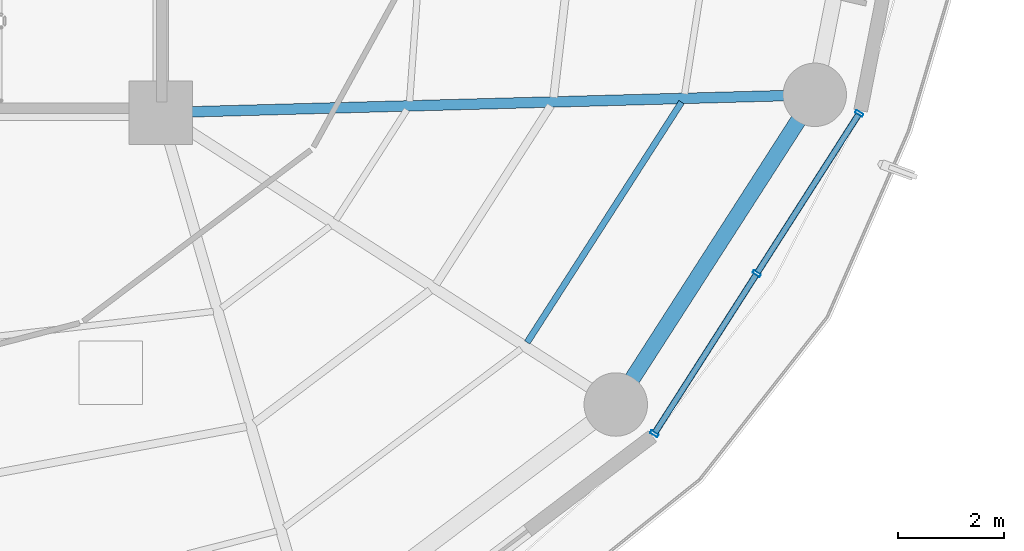
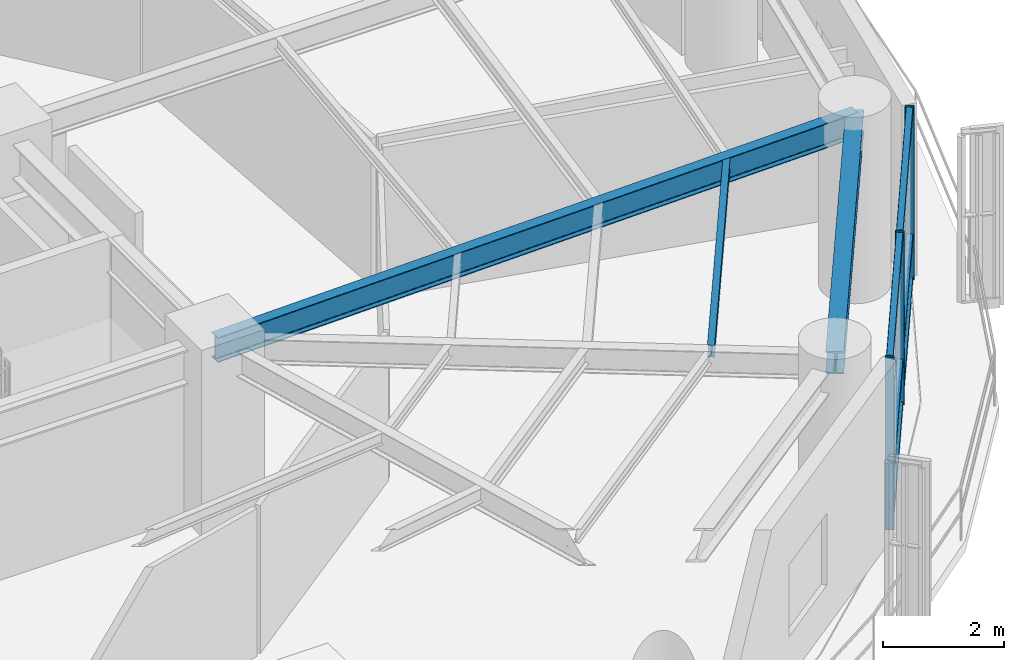
# One storey, part 11 of 27: 9 members, 3 beams, 1 element without a shape of its own.
"""IFC4 building model written with IfcOpenShell, lengths in metres."""

from ifc_helpers import new_model, si_unit, direction, frame, origin, origin_2d, place, context, subcontext, project, spatial, hollow_rectangle, i_section, extrude, material, layer, layer_set, material_profile, profile_set, type_object, element, aggregate, save


model = new_model("IFC4")

# Units and contexts
model_context = context("Model", 3, precision=1e-05, world=origin(), true_north=direction((0.0, 1.0)))
body_context = subcontext(model_context, "Body", "Model", "MODEL_VIEW")
ifc_project = project(units=[si_unit("LENGTHUNIT", "METRE"), si_unit("AREAUNIT", "SQUARE_METRE"), si_unit("VOLUMEUNIT", "CUBIC_METRE"), si_unit("PLANEANGLEUNIT", "RADIAN"), si_unit("MASSUNIT", "GRAM", prefix="KILO")], contexts=[model_context])

# Site, building, storey
site_placement = place(None, origin())
site = spatial("IfcSite", under=ifc_project, at=site_placement, CompositionType="ELEMENT")
building_placement = place(site_placement, origin())
building = spatial("IfcBuilding", under=site, at=building_placement, Name="Kelanora Arch Commons", CompositionType="ELEMENT")
storey_placement = place(building_placement, frame((0.0, 0.0, 154.35009765625)))
storey = spatial("IfcBuildingStorey", under=building, at=storey_placement, Name="L39", CompositionType="ELEMENT", Elevation=154.35009765625)

# Beams
ifc_material_1 = material(Name="Steel S355", Category="steel")
ifc_material_profile_1 = material_profile(ifc_material_1, i_section(OverallWidth=0.1201171875, OverallDepth=0.239990234375, WebThickness=0.006103515625, FlangeThickness=0.009765625, FilletRadius=0.014892578125, at=origin_2d()), Name="IPE240")
ifc_profile_set_1 = profile_set([ifc_material_profile_1], Name="Steel S355")
beam_type_1 = type_object("IfcBeamType", Name="BM-JST-02", PredefinedType="JOIST", material=ifc_profile_set_1)
beam_1_placement = place(storey_placement, frame((88.93212890625, 46.654296875, 3.369873046875), z_axis=(0.540581678156, 0.841291536414, 0.0), x_axis=(-0.841291536414, 0.540581678156, 0.0)))
element("IfcBeam", 1, at=beam_1_placement, inside=storey, type_object=beam_type_1, Name="Secondary Chord Joist BJC-32 L39", PredefinedType="JOIST", context=body_context, shape_type="SweptSolid", body=[
    extrude(i_section(OverallWidth=0.1201171875, OverallDepth=0.239990234375, WebThickness=0.006103515625, FlangeThickness=0.009765625, FilletRadius=0.014892578125, at=origin_2d()), origin(), (0.0, 0.0, 1.0), 5.4013671875),
])
ifc_material_profile_2 = material_profile(ifc_material_1, i_section(OverallWidth=0.199951171875, OverallDepth=0.5, WebThickness=0.01025390625, FlangeThickness=0.01611328125, FilletRadius=0.02099609375, at=origin_2d()), Name="IPE500")
ifc_profile_set_2 = profile_set([ifc_material_profile_2], Name="Steel S355")
beam_type_2 = type_object("IfcBeamType", Name="BM-RAD-Z3", PredefinedType="BEAM", material=ifc_profile_set_2)
beam_2_placement = place(storey_placement, frame((82.0, 51.0, 3.239990234375), z_axis=(0.999628374924, 0.027260081577, 0.0), x_axis=(-0.027260081577, 0.999628374924, 0.0)))
element("IfcBeam", 2, at=beam_2_placement, inside=storey, type_object=beam_type_2, Name="Radial Floor Girder BR-34 L39", PredefinedType="BEAM", context=body_context, shape_type="SweptSolid", body=[
    extrude(i_section(OverallWidth=0.199951171875, OverallDepth=0.5, WebThickness=0.01025390625, FlangeThickness=0.01611328125, FilletRadius=0.02099609375, at=origin_2d()), origin(), (0.0, 0.0, 1.0), 12.377197265625),
])
ifc_material_profile_3 = material_profile(ifc_material_1, i_section(OverallWidth=0.300048828125, OverallDepth=0.449951171875, WebThickness=0.013916015625, FlangeThickness=0.02587890625, FilletRadius=0.027099609375, at=origin_2d()), Name="HEB450")
ifc_profile_set_3 = profile_set([ifc_material_profile_3], Name="Steel S355")
beam_type_3 = type_object("IfcBeamType", Name="BM-SPN-Z3", PredefinedType="SPANDREL", material=ifc_profile_set_3)
beam_3_placement = place(storey_placement, frame((90.60791015625, 45.478515625, 3.264892578125), z_axis=(0.540576852469, 0.841294637196, 0.0), x_axis=(-0.841294637196, 0.540576852469, 0.0)))
element("IfcBeam", 3, at=beam_3_placement, inside=storey, type_object=beam_type_3, Name="Perimeter Spandrel Beam BS-32 L39", PredefinedType="SPANDREL", context=body_context, shape_type="SweptSolid", body=[
    extrude(i_section(OverallWidth=0.300048828125, OverallDepth=0.449951171875, WebThickness=0.013916015625, FlangeThickness=0.02587890625, FilletRadius=0.027099609375, at=origin_2d()), origin(), (0.0, 0.0, 1.0), 6.964111328125),
])

# Curtain wall, members
ifc_material_2 = material(Name="Terracotta ceramic-fritted low-E glass and aluminium", Category="masonry")
ifc_layer = layer(ifc_material_2, 0.175048828125)
ifc_layer_set = layer_set([ifc_layer], Name="Terracotta ceramic-fritted low-E glass and aluminium")
curtain_wall_type = type_object("IfcCurtainWallType", Name="CW-SYS-02", PredefinedType="NOTDEFINED", material=ifc_layer_set)
curtain_wall_placement = place(storey_placement, origin())
curtain_wall = element("IfcCurtainWall", 4, at=curtain_wall_placement, inside=storey, type_object=curtain_wall_type, Name="Unitised Curtain Wall L39-B16", PredefinedType="NOTDEFINED")
ifc_material_3 = material(Name="Powder-coated aluminium terracotta", Category="masonry")
ifc_material_profile_4 = material_profile(ifc_material_3, hollow_rectangle(XDim=0.159912109375, YDim=0.06005859375, WallThickness=0.0048828125, InnerFilletRadius=0.0048828125, OuterFilletRadius=0.010009765625, at=origin_2d()), Name="CWM160x60")
ifc_profile_set_4 = profile_set([ifc_material_profile_4], Name="Powder-coated aluminium terracotta")
member_type_1 = type_object("IfcMemberType", Name="CWM-STD", PredefinedType="MULLION", material=ifc_profile_set_4)
member_1_placement = place(storey_placement, frame((91.3369140625, 44.925048828125, 0.0), z_axis=(0.0, 0.0, 1.0), x_axis=(-0.842422846546, 0.538816988983, 0.0)))
member_1 = element("IfcMember", 5, at=member_1_placement, type_object=member_type_1, Name="CW-02 mullion 1", PredefinedType="MULLION", context=body_context, shape_type="SweptSolid", body=[
    extrude(hollow_rectangle(XDim=0.159912109375, YDim=0.06005859375, WallThickness=0.0048828125, InnerFilletRadius=0.0048828125, OuterFilletRadius=0.010009765625, at=origin_2d()), origin(), (0.0, 0.0, 1.0), 3.474853515625),
])
member_2_placement = place(storey_placement, frame((93.27490234375, 47.954833984375, 0.0), z_axis=(0.0, 0.0, 1.0), x_axis=(-0.842422846546, 0.538816988983, 0.0)))
member_2 = element("IfcMember", 6, at=member_2_placement, type_object=member_type_1, Name="CW-02 mullion 2", PredefinedType="MULLION", context=body_context, shape_type="SweptSolid", body=[
    extrude(hollow_rectangle(XDim=0.159912109375, YDim=0.06005859375, WallThickness=0.0048828125, InnerFilletRadius=0.0048828125, OuterFilletRadius=0.010009765625, at=origin_2d()), origin(), (0.0, 0.0, 1.0), 3.474853515625),
])
member_3_placement = place(storey_placement, frame((95.212890625, 50.98486328125, 0.0), z_axis=(0.0, 0.0, 1.0), x_axis=(-0.842422846546, 0.538816988983, 0.0)))
member_3 = element("IfcMember", 7, at=member_3_placement, type_object=member_type_1, Name="CW-02 mullion 3", PredefinedType="MULLION", context=body_context, shape_type="SweptSolid", body=[
    extrude(hollow_rectangle(XDim=0.159912109375, YDim=0.06005859375, WallThickness=0.0048828125, InnerFilletRadius=0.0048828125, OuterFilletRadius=0.010009765625, at=origin_2d()), origin(), (0.0, 0.0, 1.0), 3.474853515625),
])
ifc_material_profile_5 = material_profile(ifc_material_3, hollow_rectangle(XDim=0.1201171875, YDim=0.06005859375, WallThickness=0.0048828125, InnerFilletRadius=0.0048828125, OuterFilletRadius=0.010009765625, at=origin_2d()), Name="CWT120x60")
ifc_profile_set_5 = profile_set([ifc_material_profile_5], Name="Powder-coated aluminium terracotta")
member_type_2 = type_object("IfcMemberType", Name="CWT-STD", PredefinedType="USERDEFINED", material=ifc_profile_set_5)
member_4_placement = place(storey_placement, frame((91.35302734375, 44.9501953125, 0.02978515625), z_axis=(0.53883037555, 0.842414284295, 0.0), x_axis=(-0.842414284295, 0.53883037555, 0.0)))
member_4 = element("IfcMember", 8, at=member_4_placement, type_object=member_type_2, Name="CW-02 transom 1.1", ObjectType="TRANSOM", PredefinedType="USERDEFINED", context=body_context, shape_type="SweptSolid", body=[
    extrude(hollow_rectangle(XDim=0.1201171875, YDim=0.06005859375, WallThickness=0.0048828125, InnerFilletRadius=0.0048828125, OuterFilletRadius=0.010009765625, at=origin_2d()), origin(), (0.0, 0.0, 1.0), 3.536865234375),
])
member_5_placement = place(storey_placement, frame((91.35302734375, 44.9501953125, 0.89990234375), z_axis=(0.53883037555, 0.842414284295, 0.0), x_axis=(-0.842414284295, 0.53883037555, 0.0)))
member_5 = element("IfcMember", 9, at=member_5_placement, type_object=member_type_2, Name="CW-02 transom 1.2", ObjectType="TRANSOM", PredefinedType="USERDEFINED", context=body_context, shape_type="SweptSolid", body=[
    extrude(hollow_rectangle(XDim=0.1201171875, YDim=0.06005859375, WallThickness=0.0048828125, InnerFilletRadius=0.0048828125, OuterFilletRadius=0.010009765625, at=origin_2d()), origin(), (0.0, 0.0, 1.0), 3.536865234375),
])
member_6_placement = place(storey_placement, frame((91.35302734375, 44.9501953125, 3.44482421875), z_axis=(0.53883037555, 0.842414284295, 0.0), x_axis=(-0.842414284295, 0.53883037555, 0.0)))
member_6 = element("IfcMember", 10, at=member_6_placement, type_object=member_type_2, Name="CW-02 transom 1.3", ObjectType="TRANSOM", PredefinedType="USERDEFINED", context=body_context, shape_type="SweptSolid", body=[
    extrude(hollow_rectangle(XDim=0.1201171875, YDim=0.06005859375, WallThickness=0.0048828125, InnerFilletRadius=0.0048828125, OuterFilletRadius=0.010009765625, at=origin_2d()), origin(), (0.0, 0.0, 1.0), 3.536865234375),
])
member_7_placement = place(storey_placement, frame((93.291015625, 47.980224609375, 0.02978515625), z_axis=(0.53883037555, 0.842414284295, 0.0), x_axis=(-0.842414284295, 0.53883037555, 0.0)))
member_7 = element("IfcMember", 11, at=member_7_placement, type_object=member_type_2, Name="CW-02 transom 2.1", ObjectType="TRANSOM", PredefinedType="USERDEFINED", context=body_context, shape_type="SweptSolid", body=[
    extrude(hollow_rectangle(XDim=0.1201171875, YDim=0.06005859375, WallThickness=0.0048828125, InnerFilletRadius=0.0048828125, OuterFilletRadius=0.010009765625, at=origin_2d()), origin(), (0.0, 0.0, 1.0), 3.536865234375),
])
member_8_placement = place(storey_placement, frame((93.291015625, 47.980224609375, 0.89990234375), z_axis=(0.53883037555, 0.842414284295, 0.0), x_axis=(-0.842414284295, 0.53883037555, 0.0)))
member_8 = element("IfcMember", 12, at=member_8_placement, type_object=member_type_2, Name="CW-02 transom 2.2", ObjectType="TRANSOM", PredefinedType="USERDEFINED", context=body_context, shape_type="SweptSolid", body=[
    extrude(hollow_rectangle(XDim=0.1201171875, YDim=0.06005859375, WallThickness=0.0048828125, InnerFilletRadius=0.0048828125, OuterFilletRadius=0.010009765625, at=origin_2d()), origin(), (0.0, 0.0, 1.0), 3.536865234375),
])
member_9_placement = place(storey_placement, frame((93.291015625, 47.980224609375, 3.44482421875), z_axis=(0.53883037555, 0.842414284295, 0.0), x_axis=(-0.842414284295, 0.53883037555, 0.0)))
member_9 = element("IfcMember", 13, at=member_9_placement, type_object=member_type_2, Name="CW-02 transom 2.3", ObjectType="TRANSOM", PredefinedType="USERDEFINED", context=body_context, shape_type="SweptSolid", body=[
    extrude(hollow_rectangle(XDim=0.1201171875, YDim=0.06005859375, WallThickness=0.0048828125, InnerFilletRadius=0.0048828125, OuterFilletRadius=0.010009765625, at=origin_2d()), origin(), (0.0, 0.0, 1.0), 3.536865234375),
])
aggregate(curtain_wall, [member_1, member_2, member_3, member_4, member_5, member_6, member_7, member_8, member_9])

save(model, "model.ifc")
